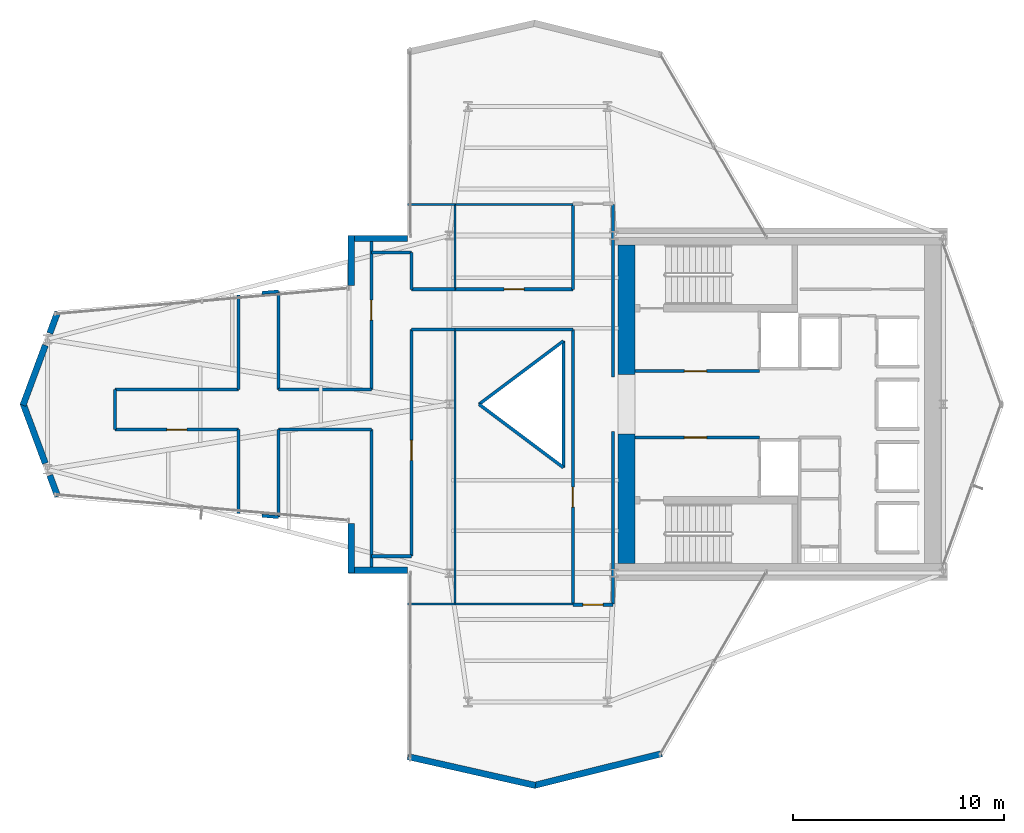
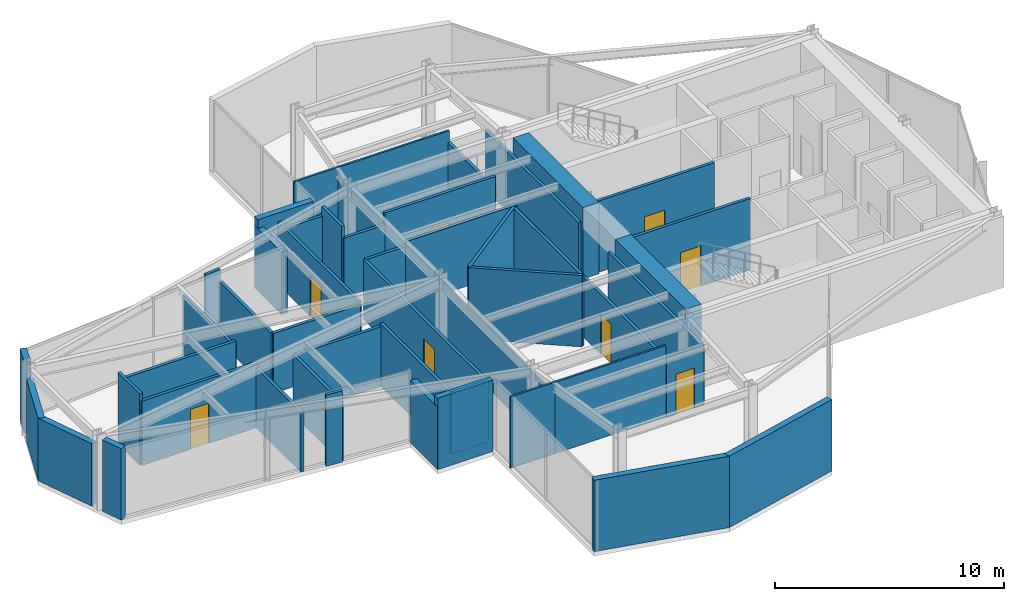
# One storey, part 22 of 25: 49 walls, 8 doors, 8 openings.
"""IFC4 building model written with IfcOpenShell, lengths in metres."""

from ifc_helpers import new_model, si_unit, direction, frame, frame_2d, origin, place, context, subcontext, project, spatial, rectangle, extrude, material, layer, layer_set, type_object, element, fill, save


model = new_model("IFC4")

# Units and contexts
model_context = context("Model", 3, precision=1e-05, world=origin(), true_north=direction((0.0, 1.0)))
body_context = subcontext(model_context, "Body", "Model", "MODEL_VIEW")
ifc_project = project(units=[si_unit("LENGTHUNIT", "METRE"), si_unit("AREAUNIT", "SQUARE_METRE"), si_unit("VOLUMEUNIT", "CUBIC_METRE"), si_unit("PLANEANGLEUNIT", "RADIAN"), si_unit("MASSUNIT", "GRAM", prefix="KILO")], contexts=[model_context])

# Site, building, storey
site_placement = place(None, origin())
site = spatial("IfcSite", under=ifc_project, at=site_placement, CompositionType="ELEMENT")
building_placement = place(site_placement, origin())
building = spatial("IfcBuilding", under=site, at=building_placement, Name="Veymaron Broadcast Tower", CompositionType="ELEMENT")
storey_placement = place(building_placement, frame((0.0, 0.0, 169.5)))
storey = spatial("IfcBuildingStorey", under=building, at=storey_placement, Name="L39", CompositionType="ELEMENT", Elevation=169.5)

# Walls
ifc_material_1 = material(Name="Precast concrete C40/50 with mineral-wool insulation", Category="concrete")
ifc_layer_1 = layer(ifc_material_1, 0.300048828125)
ifc_layer_set_1 = layer_set([ifc_layer_1], Name="Precast concrete C40/50 with mineral-wool insulation")
wall_type_1 = type_object("IfcWallType", Name="WALL-EXT-300", PredefinedType="STANDARD", material=ifc_layer_set_1)
wall_1_placement = place(storey_placement, frame((29.206787109375, 31.860107421875, 0.0), z_axis=(0.0, 0.0, 1.0), x_axis=(-1.0, 0.0, 0.0)))
element("IfcWall", 1, at=wall_1_placement, inside=storey, type_object=wall_type_1, Name="L39 notched corner facade pier 9-1", PredefinedType="STANDARD", context=body_context, shape_type="SweptSolid", body=[
    extrude(rectangle(XDim=2.798828125, YDim=0.300048828125, at=frame_2d((1.3994140625, 0.0))), origin(), (0.0, 0.0, 1.0), 3.81005859375),
])
wall_2_placement = place(storey_placement, frame((26.548095703125, 32.0, 0.0), z_axis=(0.0, 0.0, 1.0), x_axis=(0.0, -1.0, 0.0)))
element("IfcWall", 2, at=wall_2_placement, inside=storey, type_object=wall_type_1, Name="L39 notched corner facade pier 10-1", PredefinedType="STANDARD", context=body_context, shape_type="SweptSolid", body=[
    extrude(rectangle(XDim=2.361083984375, YDim=0.300048828125, at=frame_2d((1.1806640625, 0.0))), origin(), (0.0, 0.0, 1.0), 3.337890625),
])
wall_3_placement = place(storey_placement, frame((12.631103515625, 28.3701171875, 0.0), z_axis=(0.0, 0.0, 1.0), x_axis=(-0.348645093986, -0.937254820441, 0.0)))
element("IfcWall", 3, at=wall_3_placement, inside=storey, type_object=wall_type_1, Name="L39 notched corner facade pier 12-1", PredefinedType="STANDARD", context=body_context, shape_type="SweptSolid", body=[
    extrude(rectangle(XDim=1.0693359375, YDim=0.300048828125, at=frame_2d((0.53466796875, 0.0))), origin(), (0.0, 0.0, 1.0), 3.81005859375),
])
for number, where, z_axis, x_axis, name in (
    (4, (12.04638671875, 26.798095703125, 0.0), (0.0, 0.0, 1.0), (-0.348664753159, -0.937247507281, 0.0), "L39 notched corner facade pier 12-2"),
    (5, (10.9873046875, 24.048828125, 0.0), (0.0, 0.0, 1.0), (0.348664753159, -0.937247507281, 0.0), "L39 notched corner facade pier 13-1"),
):
    element("IfcWall", number, at=place(storey_placement, frame(where, z_axis=z_axis, x_axis=x_axis)), inside=storey, type_object=wall_type_1, Name=name, PredefinedType="STANDARD", context=body_context, shape_type="SweptSolid", body=[
        extrude(rectangle(XDim=3.03759765625, YDim=0.300048828125, at=frame_2d((1.518798828125, 0.0))), origin(), (0.0, 0.0, 1.0), 3.337890625),
    ])
wall_4_placement = place(storey_placement, frame((12.25830078125, 20.632080078125, 0.0), z_axis=(0.0, 0.0, 1.0), x_axis=(0.348645093986, -0.937254820441, 0.0)))
element("IfcWall", 6, at=wall_4_placement, inside=storey, type_object=wall_type_1, Name="L39 notched corner facade pier 13-2", PredefinedType="STANDARD", context=body_context, shape_type="SweptSolid", body=[
    extrude(rectangle(XDim=1.0693359375, YDim=0.300048828125, at=frame_2d((0.53466796875, 0.0))), origin(), (0.0, 0.0, 1.0), 3.81005859375),
])
wall_5_placement = place(storey_placement, frame((26.548095703125, 18.361083984375, 0.0), z_axis=(0.0, 0.0, 1.0), x_axis=(0.0, -1.0, 0.0)))
element("IfcWall", 7, at=wall_5_placement, inside=storey, type_object=wall_type_1, Name="L39 notched corner facade pier 15-1", PredefinedType="STANDARD", context=body_context, shape_type="SweptSolid", body=[
    extrude(rectangle(XDim=2.361083984375, YDim=0.300048828125, at=frame_2d((1.1806640625, 0.0))), origin(), (0.0, 0.0, 1.0), 3.337890625),
])
wall_6_placement = place(storey_placement, frame((26.407958984375, 16.139892578125, 0.0), z_axis=(0.0, 0.0, 1.0), x_axis=(1.0, 0.0, 0.0)))
element("IfcWall", 8, at=wall_6_placement, inside=storey, type_object=wall_type_1, Name="L39 notched corner facade pier 16-1", PredefinedType="STANDARD", context=body_context, shape_type="SweptSolid", body=[
    extrude(rectangle(XDim=2.798828125, YDim=0.300048828125, at=frame_2d((1.3994140625, 0.0))), origin(), (0.0, 0.0, 1.0), 3.81005859375),
])
wall_7_placement = place(storey_placement, frame((29.224853515625, 7.305419921875, 0.0), z_axis=(0.0, 0.0, 1.0), x_axis=(0.975288491541, -0.220935190199, 0.0)))
element("IfcWall", 9, at=wall_7_placement, inside=storey, type_object=wall_type_1, Name="L39 notched corner facade pier 18-1", PredefinedType="STANDARD", context=body_context, shape_type="SweptSolid", body=[
    extrude(rectangle(XDim=6.200439453125, YDim=0.300048828125, at=frame_2d((3.10009765625, 0.0))), origin(), (0.0, 0.0, 1.0), 3.81005859375),
])
wall_8_placement = place(storey_placement, frame((35.20703125, 5.934814453125, 0.0), z_axis=(0.0, 0.0, 1.0), x_axis=(0.970319679145, 0.241825805619, 0.0)))
element("IfcWall", 10, at=wall_8_placement, inside=storey, type_object=wall_type_1, Name="L39 notched corner facade pier 19-1", PredefinedType="STANDARD", context=body_context, shape_type="SweptSolid", body=[
    extrude(rectangle(XDim=6.232177734375, YDim=0.300048828125, at=frame_2d((3.1162109375, 0.0))), origin(), (0.0, 0.0, 1.0), 3.81005859375),
])

# Wall, opening, door
ifc_material_2 = material(Name="Gypsum fireboard and steel stud framing", Category="steel")
ifc_layer_2 = layer(ifc_material_2, 0.14990234375)
ifc_layer_set_2 = layer_set([ifc_layer_2], Name="Gypsum fireboard and steel stud framing")
wall_type_2 = type_object("IfcWallType", Name="WALL-FIRE-150", PredefinedType="PARTITIONING", material=ifc_layer_set_2)
wall_9_placement = place(storey_placement, frame((39.97998046875, 25.574951171875, 0.0), z_axis=(0.0, 0.0, 1.0), x_axis=(1.0, 0.0, 0.0)))
wall_9 = element("IfcWall", 11, at=wall_9_placement, inside=storey, type_object=wall_type_2, Name="L39 partition IW-L39-FFLN-S", PredefinedType="PARTITIONING", context=body_context, shape_type="SweptSolid", body=[
    extrude(rectangle(XDim=5.89990234375, YDim=0.14990234375, at=frame_2d((2.949951171875, 0.0))), origin(), (0.0, 0.0, 1.0), 3.81005859375),
])
opening_1_placement = place(wall_9_placement, frame((2.35009765625, 0.0, 0.0)))
opening_1 = element("IfcOpeningElement", 12, at=opening_1_placement, cuts=wall_9, Name="Opening ID-FL1", PredefinedType="OPENING", context=body_context, shape_type="SweptSolid", body=[
    extrude(rectangle(XDim=1.050048828125, YDim=2.14990234375, at=frame_2d((0.52490234375, 1.074951171875))), frame((0.0, 0.0849609375, 0.0), z_axis=(0.0, -1.0, 0.0), x_axis=(1.0, 0.0, 0.0)), (0.0, 0.0, 1.0), 0.169921875),
])
ifc_material_3 = material(Name="Fire-rated painted hollow steel ASTM A653", Category="steel")
door_type_1 = type_object("IfcDoorType", Name="DOOR-FIRE-1050", OperationType="NOTDEFINED", PredefinedType="DOOR", material=ifc_material_3)
door_1_placement = place(opening_1_placement, origin())
door_1 = element("IfcDoor", 13, at=door_1_placement, inside=storey, type_object=door_type_1, Name="L39 door DR-L39-FFLN", OperationType="SINGLE_SWING_LEFT", OverallHeight=2.14990234375, OverallWidth=1.050048828125, PredefinedType="DOOR", context=body_context, shape_type="SweptSolid", body=[
    extrude(rectangle(XDim=1.050048828125, YDim=2.14990234375, at=frame_2d((0.52490234375, 1.074951171875))), frame((0.0, 0.02490234375, 0.0), z_axis=(0.0, -1.0, 0.0), x_axis=(1.0, 0.0, 0.0)), (0.0, 0.0, 1.0), 0.050048828125),
])
fill(opening_1, door_1)

wall_10_placement = place(storey_placement, frame((39.97998046875, 22.425048828125, 0.0), z_axis=(0.0, 0.0, 1.0), x_axis=(1.0, 0.0, 0.0)))
wall_10 = element("IfcWall", 14, at=wall_10_placement, inside=storey, type_object=wall_type_2, Name="L39 partition IW-L39-FFLS-N", PredefinedType="PARTITIONING", context=body_context, shape_type="SweptSolid", body=[
    extrude(rectangle(XDim=5.89990234375, YDim=0.14990234375, at=frame_2d((2.949951171875, 0.0))), origin(), (0.0, 0.0, 1.0), 3.81005859375),
])
opening_2_placement = place(wall_10_placement, frame((2.35009765625, 0.0, 0.0)))
opening_2 = element("IfcOpeningElement", 15, at=opening_2_placement, cuts=wall_10, Name="Opening ID-FL1", PredefinedType="OPENING", context=body_context, shape_type="SweptSolid", body=[
    extrude(rectangle(XDim=1.050048828125, YDim=2.14990234375, at=frame_2d((0.52490234375, 1.074951171875))), frame((0.0, 0.0849609375, 0.0), z_axis=(0.0, -1.0, 0.0), x_axis=(1.0, 0.0, 0.0)), (0.0, 0.0, 1.0), 0.169921875),
])
door_2_placement = place(opening_2_placement, frame((1.050048828125, 0.0, 0.0), z_axis=(0.0, 0.0, 1.0), x_axis=(-1.0, 0.0, 0.0)))
door_2 = element("IfcDoor", 16, at=door_2_placement, inside=storey, type_object=door_type_1, Name="L39 door DR-L39-FFLS", OperationType="SINGLE_SWING_RIGHT", OverallHeight=2.14990234375, OverallWidth=1.050048828125, PredefinedType="DOOR", context=body_context, shape_type="SweptSolid", body=[
    extrude(rectangle(XDim=1.050048828125, YDim=2.14990234375, at=frame_2d((0.52490234375, 1.074951171875))), frame((0.0, 0.02490234375, 0.0), z_axis=(0.0, -1.0, 0.0), x_axis=(1.0, 0.0, 0.0)), (0.0, 0.0, 1.0), 0.050048828125),
])
fill(opening_2, door_2)

wall_11_placement = place(storey_placement, frame((37.050048828125, 14.5, 0.0), z_axis=(0.0, 0.0, 1.0), x_axis=(1.0, 0.0, 0.0)))
wall_11 = element("IfcWall", 17, at=wall_11_placement, inside=storey, type_object=wall_type_2, Name="L39 partition IW-L39-P02", PredefinedType="PARTITIONING", context=body_context, shape_type="SweptSolid", body=[
    extrude(rectangle(XDim=1.89990234375, YDim=0.14990234375, at=frame_2d((0.949951171875, 0.0))), origin(), (0.0, 0.0, 1.0), 3.18994140625),
])
opening_3_placement = place(wall_11_placement, frame((0.47509765625, 0.0, 0.0)))
opening_3 = element("IfcOpeningElement", 18, at=opening_3_placement, cuts=wall_11, Name="Opening ID-RM1", PredefinedType="OPENING", context=body_context, shape_type="SweptSolid", body=[
    extrude(rectangle(XDim=0.949951171875, YDim=2.14990234375, at=frame_2d((0.47509765625, 1.074951171875))), frame((0.0, 0.0849609375, 0.0), z_axis=(0.0, -1.0, 0.0), x_axis=(1.0, 0.0, 0.0)), (0.0, 0.0, 1.0), 0.169921875),
])
ifc_material_4 = material(Name="Acoustic solid-core European oak veneer timber", Category="wood")
door_type_2 = type_object("IfcDoorType", Name="DOOR-INT-950", OperationType="NOTDEFINED", PredefinedType="DOOR", material=ifc_material_4)
door_3_placement = place(opening_3_placement, frame((0.949951171875, 0.0, 0.0), z_axis=(0.0, 0.0, 1.0), x_axis=(-1.0, 0.0, 0.0)))
door_3 = element("IfcDoor", 19, at=door_3_placement, inside=storey, type_object=door_type_2, Name="L39 door DR-L39-P02", OperationType="SINGLE_SWING_LEFT", OverallHeight=2.14990234375, OverallWidth=0.949951171875, PredefinedType="DOOR", context=body_context, shape_type="SweptSolid", body=[
    extrude(rectangle(XDim=0.949951171875, YDim=2.14990234375, at=frame_2d((0.47509765625, 1.074951171875))), frame((0.0, 0.02490234375, 0.0), z_axis=(0.0, -1.0, 0.0), x_axis=(1.0, 0.0, 0.0)), (0.0, 0.0, 1.0), 0.050048828125),
])
fill(opening_3, door_3)

wall_12_placement = place(storey_placement, frame((37.050048828125, 14.534912109375, 0.0), z_axis=(0.0, 0.0, 1.0), x_axis=(0.0, 1.0, 0.0)))
wall_12 = element("IfcWall", 20, at=wall_12_placement, inside=storey, type_object=wall_type_2, Name="L39 partition IW-L39-P03", PredefinedType="PARTITIONING", context=body_context, shape_type="SweptSolid", body=[
    extrude(rectangle(XDim=13.01513671875, YDim=0.14990234375, at=frame_2d((6.507568359375, 0.0))), origin(), (0.0, 0.0, 1.0), 3.18994140625),
])
opening_4_placement = place(wall_12_placement, frame((4.592529296875, 0.0, 0.0)))
opening_4 = element("IfcOpeningElement", 21, at=opening_4_placement, cuts=wall_12, Name="Opening ID-RM1", PredefinedType="OPENING", context=body_context, shape_type="SweptSolid", body=[
    extrude(rectangle(XDim=0.949951171875, YDim=2.14990234375, at=frame_2d((0.47509765625, 1.074951171875))), frame((0.0, 0.0849609375, 0.0), z_axis=(0.0, -1.0, 0.0), x_axis=(1.0, 0.0, 0.0)), (0.0, 0.0, 1.0), 0.169921875),
])
door_4_placement = place(opening_4_placement, frame((0.949951171875, 0.0, 0.0), z_axis=(0.0, 0.0, 1.0), x_axis=(-1.0, 0.0, 0.0)))
door_4 = element("IfcDoor", 22, at=door_4_placement, inside=storey, type_object=door_type_2, Name="L39 door DR-L39-P03", OperationType="SINGLE_SWING_RIGHT", OverallHeight=2.14990234375, OverallWidth=0.949951171875, PredefinedType="DOOR", context=body_context, shape_type="SweptSolid", body=[
    extrude(rectangle(XDim=0.949951171875, YDim=2.14990234375, at=frame_2d((0.47509765625, 1.074951171875))), frame((0.0, 0.02490234375, 0.0), z_axis=(0.0, -1.0, 0.0), x_axis=(1.0, 0.0, 0.0)), (0.0, 0.0, 1.0), 0.050048828125),
])
fill(opening_4, door_4)

wall_13_placement = place(storey_placement, frame((29.39990234375, 16.800048828125, 0.0), z_axis=(0.0, 0.0, 1.0), x_axis=(0.0, 1.0, 0.0)))
wall_13 = element("IfcWall", 23, at=wall_13_placement, inside=storey, type_object=wall_type_2, Name="L39 partition IW-L39-P05", PredefinedType="PARTITIONING", context=body_context, shape_type="SweptSolid", body=[
    extrude(rectangle(XDim=10.75, YDim=0.14990234375, at=frame_2d((5.375, 0.0))), origin(), (0.0, 0.0, 1.0), 3.18994140625),
])
opening_5_placement = place(wall_13_placement, frame((4.5400390625, 0.0, 0.0)))
opening_5 = element("IfcOpeningElement", 24, at=opening_5_placement, cuts=wall_13, Name="Opening ID-RM1", PredefinedType="OPENING", context=body_context, shape_type="SweptSolid", body=[
    extrude(rectangle(XDim=0.949951171875, YDim=2.14990234375, at=frame_2d((0.47509765625, 1.074951171875))), frame((0.0, 0.0849609375, 0.0), z_axis=(0.0, -1.0, 0.0), x_axis=(1.0, 0.0, 0.0)), (0.0, 0.0, 1.0), 0.169921875),
])
door_5_placement = place(opening_5_placement, frame((0.949951171875, 0.0, 0.0), z_axis=(0.0, 0.0, 1.0), x_axis=(-1.0, 0.0, 0.0)))
door_5 = element("IfcDoor", 25, at=door_5_placement, inside=storey, type_object=door_type_2, Name="L39 door DR-L39-P05", OperationType="SINGLE_SWING_RIGHT", OverallHeight=2.14990234375, OverallWidth=0.949951171875, PredefinedType="DOOR", context=body_context, shape_type="SweptSolid", body=[
    extrude(rectangle(XDim=0.949951171875, YDim=2.14990234375, at=frame_2d((0.47509765625, 1.074951171875))), frame((0.0, 0.02490234375, 0.0), z_axis=(0.0, -1.0, 0.0), x_axis=(1.0, 0.0, 0.0)), (0.0, 0.0, 1.0), 0.050048828125),
])
fill(opening_5, door_5)

wall_14_placement = place(storey_placement, frame((15.35595703125, 22.800048828125, 0.0), z_axis=(0.0, 0.0, 1.0), x_axis=(1.0, 0.0, 0.0)))
wall_14 = element("IfcWall", 26, at=wall_14_placement, inside=storey, type_object=wall_type_2, Name="L39 partition IW-L39-P12", PredefinedType="PARTITIONING", context=body_context, shape_type="SweptSolid", body=[
    extrude(rectangle(XDim=5.843994140625, YDim=0.14990234375, at=frame_2d((2.921875, 0.0))), origin(), (0.0, 0.0, 1.0), 3.443115234375),
])
opening_6_placement = place(wall_14_placement, frame((2.447021484375, 0.0, 0.0)))
opening_6 = element("IfcOpeningElement", 27, at=opening_6_placement, cuts=wall_14, Name="Opening ID-RM1", PredefinedType="OPENING", context=body_context, shape_type="SweptSolid", body=[
    extrude(rectangle(XDim=0.949951171875, YDim=2.14990234375, at=frame_2d((0.47509765625, 1.074951171875))), frame((0.0, 0.0849609375, 0.0), z_axis=(0.0, -1.0, 0.0), x_axis=(1.0, 0.0, 0.0)), (0.0, 0.0, 1.0), 0.169921875),
])
door_6_placement = place(opening_6_placement, frame((0.949951171875, 0.0, 0.0), z_axis=(0.0, 0.0, 1.0), x_axis=(-1.0, 0.0, 0.0)))
door_6 = element("IfcDoor", 28, at=door_6_placement, inside=storey, type_object=door_type_2, Name="L39 door DR-L39-P12", OperationType="SINGLE_SWING_LEFT", OverallHeight=2.14990234375, OverallWidth=0.949951171875, PredefinedType="DOOR", context=body_context, shape_type="SweptSolid", body=[
    extrude(rectangle(XDim=0.949951171875, YDim=2.14990234375, at=frame_2d((0.47509765625, 1.074951171875))), frame((0.0, 0.02490234375, 0.0), z_axis=(0.0, -1.0, 0.0), x_axis=(1.0, 0.0, 0.0)), (0.0, 0.0, 1.0), 0.050048828125),
])
fill(opening_6, door_6)

wall_15_placement = place(storey_placement, frame((27.5, 24.699951171875, 0.0), z_axis=(0.0, 0.0, 1.0), x_axis=(0.0, 1.0, 0.0)))
wall_15 = element("IfcWall", 29, at=wall_15_placement, inside=storey, type_object=wall_type_2, Name="L39 partition IW-L39-P17", PredefinedType="PARTITIONING", context=body_context, shape_type="SweptSolid", body=[
    extrude(rectangle(XDim=7.16015625, YDim=0.14990234375, at=frame_2d((3.580078125, 0.0))), origin(), (0.0, 0.0, 1.0), 3.337890625),
])
opening_7_placement = place(wall_15_placement, frame((3.284912109375, 0.0, 0.0)))
opening_7 = element("IfcOpeningElement", 30, at=opening_7_placement, cuts=wall_15, Name="Opening ID-RM1", PredefinedType="OPENING", context=body_context, shape_type="SweptSolid", body=[
    extrude(rectangle(XDim=0.949951171875, YDim=2.14990234375, at=frame_2d((0.47509765625, 1.074951171875))), frame((0.0, 0.0849609375, 0.0), z_axis=(0.0, -1.0, 0.0), x_axis=(1.0, 0.0, 0.0)), (0.0, 0.0, 1.0), 0.169921875),
])
door_7_placement = place(opening_7_placement, origin())
door_7 = element("IfcDoor", 31, at=door_7_placement, inside=storey, type_object=door_type_2, Name="L39 door DR-L39-P17", OperationType="SINGLE_SWING_RIGHT", OverallHeight=2.14990234375, OverallWidth=0.949951171875, PredefinedType="DOOR", context=body_context, shape_type="SweptSolid", body=[
    extrude(rectangle(XDim=0.949951171875, YDim=2.14990234375, at=frame_2d((0.47509765625, 1.074951171875))), frame((0.0, 0.02490234375, 0.0), z_axis=(0.0, -1.0, 0.0), x_axis=(1.0, 0.0, 0.0)), (0.0, 0.0, 1.0), 0.050048828125),
])
fill(opening_7, door_7)

wall_16_placement = place(storey_placement, frame((31.468994140625, 29.449951171875, 0.0), z_axis=(0.0, 0.0, 1.0), x_axis=(1.0, 0.0, 0.0)))
wall_16 = element("IfcWall", 32, at=wall_16_placement, inside=storey, type_object=wall_type_2, Name="L39 partition IW-L39-P24", PredefinedType="PARTITIONING", context=body_context, shape_type="SweptSolid", body=[
    extrude(rectangle(XDim=5.5810546875, YDim=0.14990234375, at=frame_2d((2.79052734375, 0.0))), origin(), (0.0, 0.0, 1.0), 3.81005859375),
])
opening_8_placement = place(wall_16_placement, frame((2.3154296875, 0.0, 0.0)))
opening_8 = element("IfcOpeningElement", 33, at=opening_8_placement, cuts=wall_16, Name="Opening ID-RM1", PredefinedType="OPENING", context=body_context, shape_type="SweptSolid", body=[
    extrude(rectangle(XDim=0.949951171875, YDim=2.14990234375, at=frame_2d((0.47509765625, 1.074951171875))), frame((0.0, 0.0849609375, 0.0), z_axis=(0.0, -1.0, 0.0), x_axis=(1.0, 0.0, 0.0)), (0.0, 0.0, 1.0), 0.169921875),
])
door_8_placement = place(opening_8_placement, origin())
door_8 = element("IfcDoor", 34, at=door_8_placement, inside=storey, type_object=door_type_2, Name="L39 door DR-L39-P24", OperationType="SINGLE_SWING_LEFT", OverallHeight=2.14990234375, OverallWidth=0.949951171875, PredefinedType="DOOR", context=body_context, shape_type="SweptSolid", body=[
    extrude(rectangle(XDim=0.949951171875, YDim=2.14990234375, at=frame_2d((0.47509765625, 1.074951171875))), frame((0.0, 0.02490234375, 0.0), z_axis=(0.0, -1.0, 0.0), x_axis=(1.0, 0.0, 0.0)), (0.0, 0.0, 1.0), 0.050048828125),
])
fill(opening_8, door_8)

# Walls
wall_17_placement = place(storey_placement, frame((38.949951171875, 14.534912109375, 0.0), z_axis=(0.0, 0.0, 1.0), x_axis=(0.0, 1.0, 0.0)))
element("IfcWall", 35, at=wall_17_placement, inside=storey, type_object=wall_type_2, Name="L39 partition IW-L39-P01", PredefinedType="PARTITIONING", context=body_context, shape_type="SweptSolid", body=[
    extrude(rectangle(XDim=8.1650390625, YDim=0.14990234375, at=frame_2d((4.08251953125, 0.0))), origin(), (0.0, 0.0, 1.0), 3.18994140625),
])
wall_18_placement = place(storey_placement, frame((31.468994140625, 27.550048828125, 0.0), z_axis=(0.0, 0.0, 1.0), x_axis=(1.0, 0.0, 0.0)))
element("IfcWall", 36, at=wall_18_placement, inside=storey, type_object=wall_type_2, Name="L39 partition IW-L39-P04", PredefinedType="PARTITIONING", context=body_context, shape_type="SweptSolid", body=[
    extrude(rectangle(XDim=5.5810546875, YDim=0.14990234375, at=frame_2d((2.79052734375, 0.0))), origin(), (0.0, 0.0, 1.0), 3.443115234375),
])
wall_19_placement = place(storey_placement, frame((27.5, 16.139892578125, 0.0), z_axis=(0.0, 0.0, 1.0), x_axis=(0.0, 1.0, 0.0)))
element("IfcWall", 37, at=wall_19_placement, inside=storey, type_object=wall_type_2, Name="L39 partition IW-L39-P06", PredefinedType="PARTITIONING", context=body_context, shape_type="SweptSolid", body=[
    extrude(rectangle(XDim=6.66015625, YDim=0.14990234375, at=frame_2d((3.330078125, 0.0))), origin(), (0.0, 0.0, 1.0), 3.337890625),
])
wall_20_placement = place(storey_placement, frame((23.10009765625, 22.800048828125, 0.0), z_axis=(0.0, 0.0, 1.0), x_axis=(1.0, 0.0, 0.0)))
element("IfcWall", 38, at=wall_20_placement, inside=storey, type_object=wall_type_2, Name="L39 partition IW-L39-P07", PredefinedType="PARTITIONING", context=body_context, shape_type="SweptSolid", body=[
    extrude(rectangle(XDim=4.39990234375, YDim=0.14990234375, at=frame_2d((2.199951171875, 0.0))), origin(), (0.0, 0.0, 1.0), 3.18994140625),
])
wall_21_placement = place(storey_placement, frame((23.10009765625, 18.651123046875, 0.0), z_axis=(0.0, 0.0, 1.0), x_axis=(0.0, 1.0, 0.0)))
element("IfcWall", 39, at=wall_21_placement, inside=storey, type_object=wall_type_2, Name="L39 partition IW-L39-P08", PredefinedType="PARTITIONING", context=body_context, shape_type="SweptSolid", body=[
    extrude(rectangle(XDim=4.14892578125, YDim=0.14990234375, at=frame_2d((2.074462890625, 0.0))), origin(), (0.0, 0.0, 1.0), 3.18994140625),
])
wall_22_placement = place(storey_placement, frame((29.39990234375, 27.550048828125, 0.0), z_axis=(0.0, 0.0, 1.0), x_axis=(1.0, 0.0, 0.0)))
element("IfcWall", 40, at=wall_22_placement, inside=storey, type_object=wall_type_2, Name="L39 partition IW-L39-P09", PredefinedType="PARTITIONING", context=body_context, shape_type="SweptSolid", body=[
    extrude(rectangle(XDim=2.069091796875, YDim=0.14990234375, at=frame_2d((1.03466796875, 0.0))), origin(), (0.0, 0.0, 1.0), 3.18994140625),
])
wall_23_placement = place(storey_placement, frame((27.5, 16.800048828125, 0.0), z_axis=(0.0, 0.0, 1.0), x_axis=(1.0, 0.0, 0.0)))
element("IfcWall", 41, at=wall_23_placement, inside=storey, type_object=wall_type_2, Name="L39 partition IW-L39-P10", PredefinedType="PARTITIONING", context=body_context, shape_type="SweptSolid", body=[
    extrude(rectangle(XDim=1.89990234375, YDim=0.14990234375, at=frame_2d((0.949951171875, 0.0))), origin(), (0.0, 0.0, 1.0), 3.337890625),
])
wall_24_placement = place(storey_placement, frame((22.314208984375, 18.72021484375, 0.0), z_axis=(0.0, 0.0, 1.0), x_axis=(0.996157691282, -0.08757770321, 0.0)))
element("IfcWall", 42, at=wall_24_placement, inside=storey, type_object=wall_type_2, Name="L39 partition IW-L39-P11", PredefinedType="PARTITIONING", context=body_context, shape_type="SweptSolid", body=[
    extrude(rectangle(XDim=0.788818359375, YDim=0.14990234375, at=frame_2d((0.39453125, 0.0))), origin(), (0.0, 0.0, 1.0), 3.81005859375),
])
wall_25_placement = place(storey_placement, frame((15.35595703125, 24.699951171875, 0.0), z_axis=(0.0, 0.0, 1.0), x_axis=(1.0, 0.0, 0.0)))
element("IfcWall", 43, at=wall_25_placement, inside=storey, type_object=wall_type_2, Name="L39 partition IW-L39-P13", PredefinedType="PARTITIONING", context=body_context, shape_type="SweptSolid", body=[
    extrude(rectangle(XDim=5.843994140625, YDim=0.14990234375, at=frame_2d((2.921875, 0.0))), origin(), (0.0, 0.0, 1.0), 3.443115234375),
])
wall_26_placement = place(storey_placement, frame((21.199951171875, 24.699951171875, 0.0), z_axis=(0.0, 0.0, 1.0), x_axis=(0.0, 1.0, 0.0)))
element("IfcWall", 44, at=wall_26_placement, inside=storey, type_object=wall_type_2, Name="L39 partition IW-L39-P14", PredefinedType="PARTITIONING", context=body_context, shape_type="SweptSolid", body=[
    extrude(rectangle(XDim=4.482177734375, YDim=0.14990234375, at=frame_2d((2.2412109375, 0.0))), origin(), (0.0, 0.0, 1.0), 3.18994140625),
])
wall_27_placement = place(storey_placement, frame((21.199951171875, 18.81787109375, 0.0), z_axis=(0.0, 0.0, 1.0), x_axis=(0.0, 1.0, 0.0)))
element("IfcWall", 45, at=wall_27_placement, inside=storey, type_object=wall_type_2, Name="L39 partition IW-L39-P15", PredefinedType="PARTITIONING", context=body_context, shape_type="SweptSolid", body=[
    extrude(rectangle(XDim=3.982177734375, YDim=0.14990234375, at=frame_2d((1.9912109375, 0.0))), origin(), (0.0, 0.0, 1.0), 3.18994140625),
])
wall_28_placement = place(storey_placement, frame((15.35595703125, 22.800048828125, 0.0), z_axis=(0.0, 0.0, 1.0), x_axis=(0.0, 1.0, 0.0)))
element("IfcWall", 46, at=wall_28_placement, inside=storey, type_object=wall_type_2, Name="L39 partition IW-L39-P16", PredefinedType="PARTITIONING", context=body_context, shape_type="SweptSolid", body=[
    extrude(rectangle(XDim=1.89990234375, YDim=0.14990234375, at=frame_2d((0.949951171875, 0.0))), origin(), (0.0, 0.0, 1.0), 3.81005859375),
])
wall_29_placement = place(storey_placement, frame((23.10009765625, 24.699951171875, 0.0), z_axis=(0.0, 0.0, 1.0), x_axis=(0.0, 1.0, 0.0)))
element("IfcWall", 47, at=wall_29_placement, inside=storey, type_object=wall_type_2, Name="L39 partition IW-L39-P18", PredefinedType="PARTITIONING", context=body_context, shape_type="SweptSolid", body=[
    extrude(rectangle(XDim=4.64892578125, YDim=0.14990234375, at=frame_2d((2.324462890625, 0.0))), origin(), (0.0, 0.0, 1.0), 3.18994140625),
])
wall_30_placement = place(storey_placement, frame((23.10009765625, 24.699951171875, 0.0), z_axis=(0.0, 0.0, 1.0), x_axis=(1.0, 0.0, 0.0)))
element("IfcWall", 48, at=wall_30_placement, inside=storey, type_object=wall_type_2, Name="L39 partition IW-L39-P19", PredefinedType="PARTITIONING", context=body_context, shape_type="SweptSolid", body=[
    extrude(rectangle(XDim=4.39990234375, YDim=0.14990234375, at=frame_2d((2.199951171875, 0.0))), origin(), (0.0, 0.0, 1.0), 3.18994140625),
])
wall_31_placement = place(storey_placement, frame((29.39990234375, 29.449951171875, 0.0), z_axis=(0.0, 0.0, 1.0), x_axis=(1.0, 0.0, 0.0)))
element("IfcWall", 49, at=wall_31_placement, inside=storey, type_object=wall_type_2, Name="L39 partition IW-L39-P20", PredefinedType="PARTITIONING", context=body_context, shape_type="SweptSolid", body=[
    extrude(rectangle(XDim=2.069091796875, YDim=0.14990234375, at=frame_2d((1.03466796875, 0.0))), origin(), (0.0, 0.0, 1.0), 3.18994140625),
])
wall_32_placement = place(storey_placement, frame((27.5, 31.199951171875, 0.0), z_axis=(0.0, 0.0, 1.0), x_axis=(1.0, 0.0, 0.0)))
element("IfcWall", 50, at=wall_32_placement, inside=storey, type_object=wall_type_2, Name="L39 partition IW-L39-P21", PredefinedType="PARTITIONING", context=body_context, shape_type="SweptSolid", body=[
    extrude(rectangle(XDim=1.89990234375, YDim=0.14990234375, at=frame_2d((0.949951171875, 0.0))), origin(), (0.0, 0.0, 1.0), 3.337890625),
])
wall_33_placement = place(storey_placement, frame((29.39990234375, 29.449951171875, 0.0), z_axis=(0.0, 0.0, 1.0), x_axis=(0.0, 1.0, 0.0)))
element("IfcWall", 51, at=wall_33_placement, inside=storey, type_object=wall_type_2, Name="L39 partition IW-L39-P22", PredefinedType="PARTITIONING", context=body_context, shape_type="SweptSolid", body=[
    extrude(rectangle(XDim=1.75, YDim=0.14990234375, at=frame_2d((0.875, 0.0))), origin(), (0.0, 0.0, 1.0), 3.81005859375),
])
wall_34_placement = place(storey_placement, frame((22.314208984375, 29.27978515625, 0.0), z_axis=(0.0, 0.0, 1.0), x_axis=(0.996157691282, 0.08757770321, 0.0)))
element("IfcWall", 52, at=wall_34_placement, inside=storey, type_object=wall_type_2, Name="L39 partition IW-L39-P23", PredefinedType="PARTITIONING", context=body_context, shape_type="SweptSolid", body=[
    extrude(rectangle(XDim=0.788818359375, YDim=0.14990234375, at=frame_2d((0.39453125, 0.0))), origin(), (0.0, 0.0, 1.0), 3.81005859375),
])
wall_35_placement = place(storey_placement, frame((37.050048828125, 29.449951171875, 0.0), z_axis=(0.0, 0.0, 1.0), x_axis=(0.0, 1.0, 0.0)))
element("IfcWall", 53, at=wall_35_placement, inside=storey, type_object=wall_type_2, Name="L39 partition IW-L39-P25", PredefinedType="PARTITIONING", context=body_context, shape_type="SweptSolid", body=[
    extrude(rectangle(XDim=4.01513671875, YDim=0.14990234375, at=frame_2d((2.007568359375, 0.0))), origin(), (0.0, 0.0, 1.0), 3.18994140625),
])
wall_36_placement = place(storey_placement, frame((38.949951171875, 25.300048828125, 0.0), z_axis=(0.0, 0.0, 1.0), x_axis=(0.0, 1.0, 0.0)))
element("IfcWall", 54, at=wall_36_placement, inside=storey, type_object=wall_type_2, Name="L39 partition IW-L39-P26", PredefinedType="PARTITIONING", context=body_context, shape_type="SweptSolid", body=[
    extrude(rectangle(XDim=8.1650390625, YDim=0.14990234375, at=frame_2d((4.08251953125, 0.0))), origin(), (0.0, 0.0, 1.0), 3.18994140625),
])
ifc_material_5 = material(Name="Fire-rated laminated glass in aluminium frame", Category="aluminium")
ifc_layer_3 = layer(ifc_material_5, 0.14990234375)
ifc_layer_set_3 = layer_set([ifc_layer_3], Name="Fire-rated laminated glass in aluminium frame")
wall_type_3 = type_object("IfcWallType", Name="WALL-GLZ-150", PredefinedType="MOVABLE", material=ifc_layer_set_3)
wall_37_placement = place(storey_placement, frame((32.60009765625, 24.0, 0.0), z_axis=(0.0, 0.0, 1.0), x_axis=(0.8, -0.6, 0.0)))
element("IfcWall", 55, at=wall_37_placement, inside=storey, type_object=wall_type_3, Name="L39 partition IW-L39-ATR1", PredefinedType="MOVABLE", context=body_context, shape_type="SweptSolid", body=[
    extrude(rectangle(XDim=5.0, YDim=0.14990234375, at=frame_2d((2.5, 0.0))), origin(), (0.0, 0.0, 1.0), 3.81005859375),
])
wall_38_placement = place(storey_placement, frame((36.60009765625, 21.0, 0.0), z_axis=(0.0, 0.0, 1.0), x_axis=(0.0, 1.0, 0.0)))
element("IfcWall", 56, at=wall_38_placement, inside=storey, type_object=wall_type_3, Name="L39 partition IW-L39-ATR2", PredefinedType="MOVABLE", context=body_context, shape_type="SweptSolid", body=[
    extrude(rectangle(XDim=6.0, YDim=0.14990234375, at=frame_2d((3.0, 0.0))), origin(), (0.0, 0.0, 1.0), 3.81005859375),
])
wall_39_placement = place(storey_placement, frame((36.60009765625, 27.0, 0.0), z_axis=(0.0, 0.0, 1.0), x_axis=(-0.8, -0.6, 0.0)))
element("IfcWall", 57, at=wall_39_placement, inside=storey, type_object=wall_type_3, Name="L39 partition IW-L39-ATR3", PredefinedType="MOVABLE", context=body_context, shape_type="SweptSolid", body=[
    extrude(rectangle(XDim=5.0, YDim=0.14990234375, at=frame_2d((2.5, 0.0))), origin(), (0.0, 0.0, 1.0), 3.81005859375),
])
ifc_material_6 = material(Name="Acoustic gypsum board and galvanized stud", Category="gypsum")
ifc_layer_4 = layer(ifc_material_6, 0.10009765625)
ifc_layer_set_4 = layer_set([ifc_layer_4], Name="Acoustic gypsum board and galvanized stud")
wall_type_4 = type_object("IfcWallType", Name="WALL-PART-100", PredefinedType="PARTITIONING", material=ifc_layer_set_4)
wall_40_placement = place(storey_placement, frame((31.468994140625, 14.534912109375, 0.0), z_axis=(0.0, 0.0, 1.0), x_axis=(1.0, 0.0, 0.0)))
element("IfcWall", 58, at=wall_40_placement, inside=storey, type_object=wall_type_4, Name="L39 partition IW-L39-P28", PredefinedType="PARTITIONING", context=body_context, shape_type="SweptSolid", body=[
    extrude(rectangle(XDim=5.5810546875, YDim=0.10009765625, at=frame_2d((2.79052734375, 0.0))), origin(), (0.0, 0.0, 1.0), 3.81005859375),
])
wall_41_placement = place(storey_placement, frame((29.20458984375, 14.534912109375, 0.0), z_axis=(0.0, 0.0, 1.0), x_axis=(1.0, 0.0, 0.0)))
element("IfcWall", 59, at=wall_41_placement, inside=storey, type_object=wall_type_4, Name="L39 partition IW-L39-P29", PredefinedType="PARTITIONING", context=body_context, shape_type="SweptSolid", body=[
    extrude(rectangle(XDim=2.264404296875, YDim=0.10009765625, at=frame_2d((1.13232421875, 0.0))), origin(), (0.0, 0.0, 1.0), 3.81005859375),
])
wall_42_placement = place(storey_placement, frame((31.468994140625, 14.534912109375, 0.0), z_axis=(0.0, 0.0, 1.0), x_axis=(0.0, 1.0, 0.0)))
element("IfcWall", 60, at=wall_42_placement, inside=storey, type_object=wall_type_4, Name="L39 partition IW-L39-P30", PredefinedType="PARTITIONING", context=body_context, shape_type="SweptSolid", body=[
    extrude(rectangle(XDim=13.01513671875, YDim=0.10009765625, at=frame_2d((6.507568359375, 0.0))), origin(), (0.0, 0.0, 1.0), 3.18994140625),
])
wall_43_placement = place(storey_placement, frame((31.468994140625, 29.449951171875, 0.0), z_axis=(0.0, 0.0, 1.0), x_axis=(0.0, 1.0, 0.0)))
element("IfcWall", 61, at=wall_43_placement, inside=storey, type_object=wall_type_4, Name="L39 partition IW-L39-P31", PredefinedType="PARTITIONING", context=body_context, shape_type="SweptSolid", body=[
    extrude(rectangle(XDim=4.01513671875, YDim=0.10009765625, at=frame_2d((2.007568359375, 0.0))), origin(), (0.0, 0.0, 1.0), 3.18994140625),
])
wall_44_placement = place(storey_placement, frame((29.20458984375, 33.465087890625, 0.0), z_axis=(0.0, 0.0, 1.0), x_axis=(1.0, 0.0, 0.0)))
element("IfcWall", 62, at=wall_44_placement, inside=storey, type_object=wall_type_4, Name="L39 partition IW-L39-P32", PredefinedType="PARTITIONING", context=body_context, shape_type="SweptSolid", body=[
    extrude(rectangle(XDim=2.264404296875, YDim=0.10009765625, at=frame_2d((1.13232421875, 0.0))), origin(), (0.0, 0.0, 1.0), 3.81005859375),
])
wall_45_placement = place(storey_placement, frame((31.468994140625, 33.465087890625, 0.0), z_axis=(0.0, 0.0, 1.0), x_axis=(1.0, 0.0, 0.0)))
element("IfcWall", 63, at=wall_45_placement, inside=storey, type_object=wall_type_4, Name="L39 partition IW-L39-P33", PredefinedType="PARTITIONING", context=body_context, shape_type="SweptSolid", body=[
    extrude(rectangle(XDim=5.5810546875, YDim=0.10009765625, at=frame_2d((2.79052734375, 0.0))), origin(), (0.0, 0.0, 1.0), 3.81005859375),
])
ifc_material_7 = material(Name="Concrete C60/75", Category="concrete")
ifc_layer_5 = layer(ifc_material_7, 0.800048828125)
ifc_layer_set_5 = layer_set([ifc_layer_5], Name="Concrete C60/75")
wall_type_5 = type_object("IfcWallType", Name="WALL-SHEAR-800", PredefinedType="SHEAR", material=ifc_layer_set_5)
for number, where, z_axis, x_axis, name in (
    (64, (39.580078125, 16.449951171875, 0.0), (0.0, 0.0, 1.0), (0.0, 1.0, 0.0), "L39 Core Wall west-south shear"),
    (65, (39.580078125, 25.39990234375, 0.0), (0.0, 0.0, 1.0), (0.0, 1.0, 0.0), "L39 Core Wall west-north shear"),
):
    element("IfcWall", number, at=place(storey_placement, frame(where, z_axis=z_axis, x_axis=x_axis)), inside=storey, type_object=wall_type_5, Name=name, PredefinedType="SHEAR", context=body_context, shape_type="SweptSolid", body=[
        extrude(rectangle(XDim=6.150146484375, YDim=0.800048828125, at=frame_2d((3.0751953125, 0.0))), origin(), (0.0, 0.0, 1.0), 3.81005859375),
    ])

save(model, "model.ifc")
